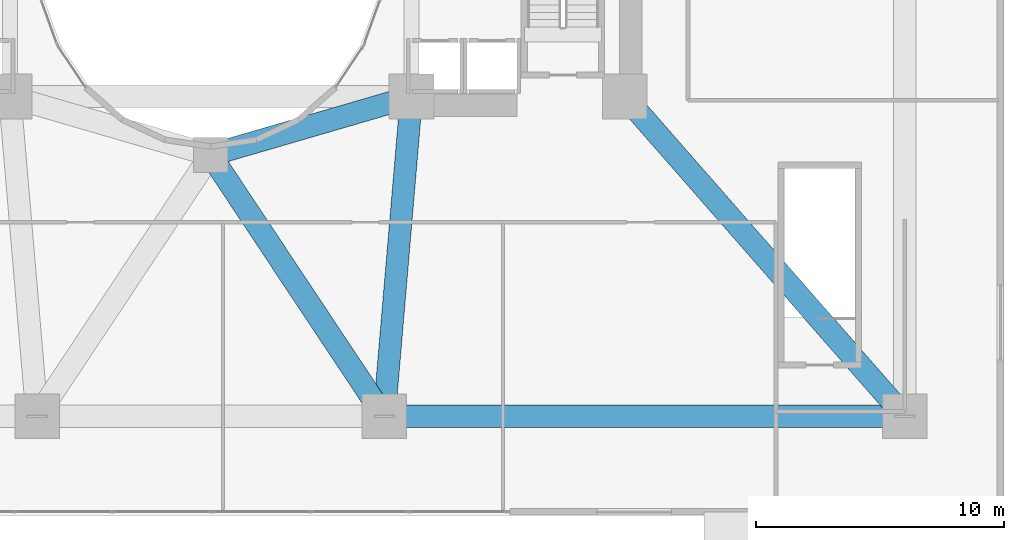
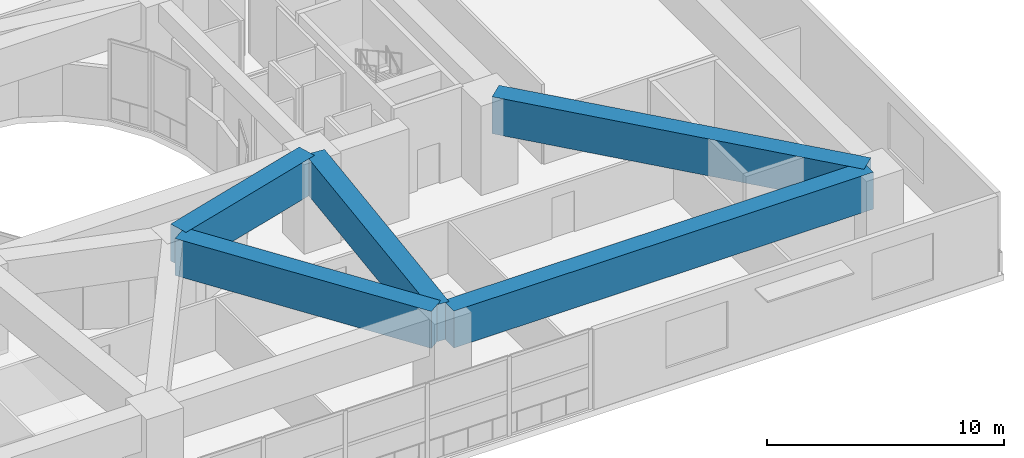
# One storey, part 9 of 27: 5 beams.
"""IFC4 building model written with IfcOpenShell, lengths in metres."""

from ifc_helpers import new_model, si_unit, direction, frame, origin, origin_2d, place, context, subcontext, project, spatial, rectangle, extrude, material, material_profile, profile_set, type_object, element, save


model = new_model("IFC4")

# Units and contexts
model_context = context("Model", 3, precision=1e-05, world=origin(), true_north=direction((0.0, 1.0)))
body_context = subcontext(model_context, "Body", "Model", "MODEL_VIEW")
ifc_project = project(units=[si_unit("LENGTHUNIT", "METRE"), si_unit("AREAUNIT", "SQUARE_METRE"), si_unit("VOLUMEUNIT", "CUBIC_METRE"), si_unit("PLANEANGLEUNIT", "RADIAN"), si_unit("MASSUNIT", "GRAM", prefix="KILO")], contexts=[model_context])

# Site, building, storey
site_placement = place(None, origin())
site = spatial("IfcSite", under=ifc_project, at=site_placement, CompositionType="ELEMENT")
building_placement = place(site_placement, origin())
building = spatial("IfcBuilding", under=site, at=building_placement, Name="Solvane Sanctuary Tower", CompositionType="ELEMENT")
storey_placement = place(building_placement, frame((0.0, 0.0, 23.0)))
storey = spatial("IfcBuildingStorey", under=building, at=storey_placement, Name="L06", CompositionType="ELEMENT", Elevation=23.0)

# Beams
ifc_material = material(Name="Concrete C60/75", Category="concrete")
ifc_material_profile = material_profile(ifc_material, rectangle(XDim=0.89990234375, YDim=1.89990234375, at=origin_2d()), Name="RC900X1900")
ifc_profile_set = profile_set([ifc_material_profile], Name="Concrete C60/75")
beam_type = type_object("IfcBeamType", Name="Beam B-XFER-POD RC900X1900", PredefinedType="BEAM", material=ifc_profile_set)
beam_1_placement = place(storey_placement, frame((39.300048828125, 4.0, 3.64990234375), z_axis=(1.0, 0.0, 0.0), x_axis=(0.0, 1.0, 0.0)))
element("IfcBeam", 1, at=beam_1_placement, inside=storey, type_object=beam_type, Name="L06 Podium Transfer Girder XP03", PredefinedType="BEAM", context=body_context, shape_type="SweptSolid", body=[
    extrude(rectangle(XDim=0.89990234375, YDim=1.89990234375, at=origin_2d()), origin(), (0.0, 0.0, 1.0), 20.39990234375),
])
beam_2_placement = place(storey_placement, frame((38.833984375, 4.25, 3.64990234375), z_axis=(-0.553240888306, 0.833021319959, 0.0), x_axis=(-0.833021319959, -0.553240888306, 0.0)))
element("IfcBeam", 2, at=beam_2_placement, inside=storey, type_object=beam_type, Name="L06 Podium Transfer Girder XP12", PredefinedType="BEAM", context=body_context, shape_type="SweptSolid", body=[
    extrude(rectangle(XDim=0.89990234375, YDim=1.89990234375, at=origin_2d()), origin(), (0.0, 0.0, 1.0), 12.052490234375),
])
beam_3_placement = place(storey_placement, frame((39.025390625, 4.298828125, 3.64990234375), z_axis=(0.084966486016, 0.996383809711, 0.0), x_axis=(-0.996383809711, 0.084966486016, 0.0)))
element("IfcBeam", 3, at=beam_3_placement, inside=storey, type_object=beam_type, Name="L06 Podium Transfer Girder XP13", PredefinedType="BEAM", context=body_context, shape_type="SweptSolid", body=[
    extrude(rectangle(XDim=0.89990234375, YDim=1.89990234375, at=origin_2d()), origin(), (0.0, 0.0, 1.0), 12.346923828125),
])
beam_4_placement = place(storey_placement, frame((59.80224609375, 4.2255859375, 3.64990234375), z_axis=(-0.658911831778, 0.752220179165, 0.0), x_axis=(-0.752220179165, -0.658911831778, 0.0)))
element("IfcBeam", 4, at=beam_4_placement, inside=storey, type_object=beam_type, Name="L06 Podium Transfer Girder XP14", PredefinedType="BEAM", context=body_context, shape_type="SweptSolid", body=[
    extrude(rectangle(XDim=0.89990234375, YDim=1.89990234375, at=origin_2d()), origin(), (0.0, 0.0, 1.0), 16.54931640625),
])
beam_5_placement = place(storey_placement, frame((32.2880859375, 14.623779296875, 3.64990234375), z_axis=(0.960071844474, 0.27975355842, 0.0), x_axis=(-0.27975355842, 0.960071844474, 0.0)))
element("IfcBeam", 5, at=beam_5_placement, inside=storey, type_object=beam_type, Name="L06 Podium Transfer Girder XP22", PredefinedType="BEAM", context=body_context, shape_type="SweptSolid", body=[
    extrude(rectangle(XDim=0.89990234375, YDim=1.89990234375, at=origin_2d()), origin(), (0.0, 0.0, 1.0), 7.8369140625),
])

save(model, "model.ifc")
